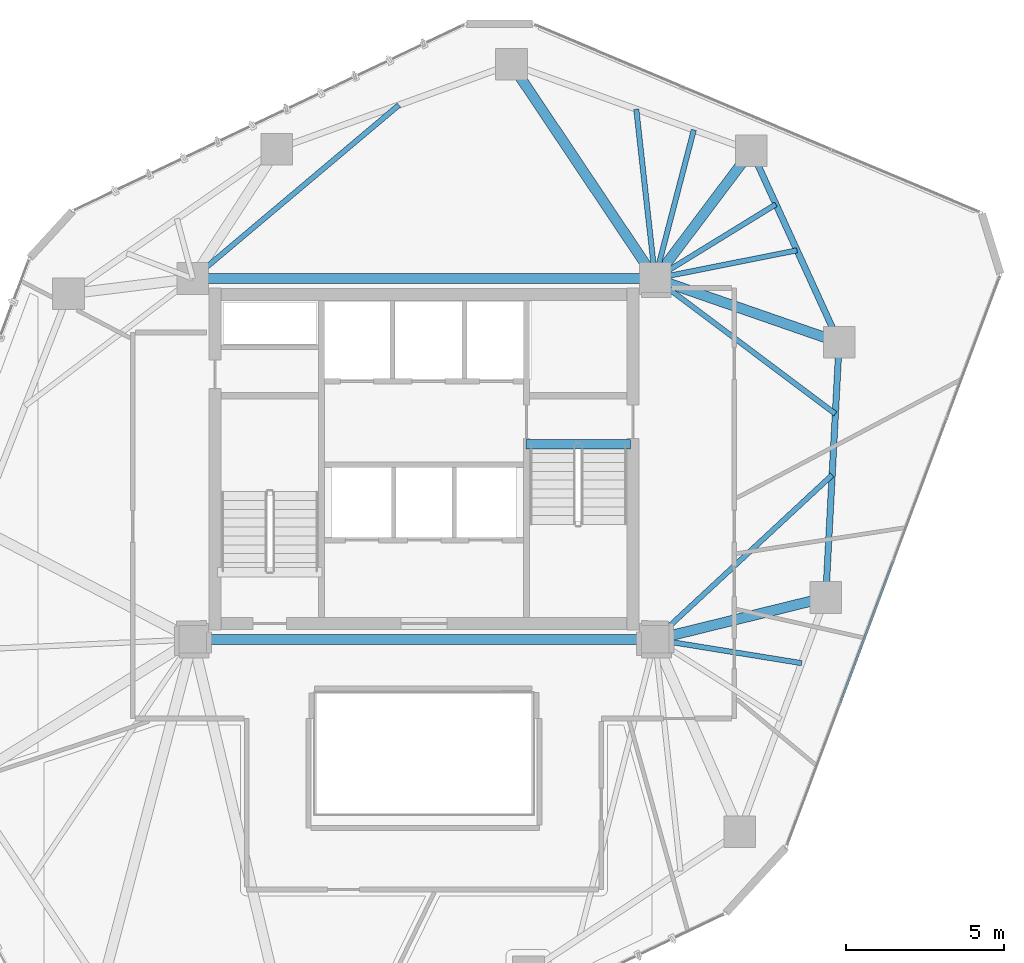
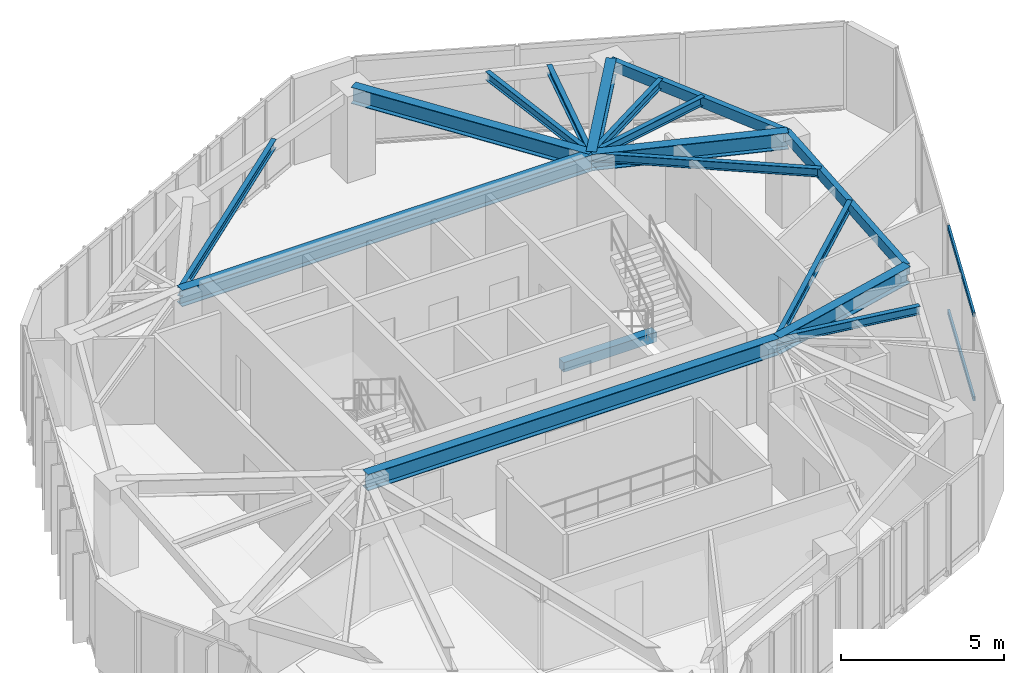
# One storey, part 10 of 18: 17 beams, 2 members, 1 element without a shape of its own.
"""IFC4 building model written with IfcOpenShell, lengths in metres."""

import ifcopenshell
import ifcopenshell.guid

model = None  # the IFC model being written
_history = None  # IfcOwnerHistory: only IFC2X3 demands one
_inside = {}  # id of a spatial element -> (the spatial element, [elements in it])
_under = {}  # id of a project, library or spatial element -> (it, [spatial elements below it])
_declared = {}  # id of a project -> (the project, [libraries it declares])
_typed = {}  # id of a type object -> (the type object, [elements of that type])
_made_of = {}  # id of a material, layer set ... -> (it, [elements and type objects made of it])


def new_model(schema):
    """Start an empty IFC model of exactly this schema.

    Asked for "IFC4X3", IfcOpenShell would pick the latest addendum, in which some entities
    have other attributes; the version numbers below select the first issue.
    IFC2X3 requires an IfcOwnerHistory on every rooted entity: one is made here for all.
    """
    global model, _history
    if schema == "IFC4X3":
        model = ifcopenshell.file(schema_version=(4, 3, 0, 0))
    else:
        model = ifcopenshell.file(schema=schema)
    _inside.clear()
    _under.clear()
    _declared.clear()
    _typed.clear()
    _made_of.clear()
    _history = None
    if model.schema == "IFC2X3":
        org = make("IfcOrganization", Name="unknown")
        user = make(
            "IfcPersonAndOrganization",
            ThePerson=make("IfcPerson", FamilyName="unknown"),
            TheOrganization=org,
        )
        app = make(
            "IfcApplication",
            ApplicationDeveloper=org,
            Version="unknown",
            ApplicationFullName="unknown",
            ApplicationIdentifier="unknown",
        )
        _history = make(
            "IfcOwnerHistory",
            OwningUser=user,
            OwningApplication=app,
            ChangeAction="ADDED",
            CreationDate=0,
        )
    return model


def make(cls, **values):
    """One entity of the class cls with the attributes given. An attribute that is None is left unset."""
    return model.create_entity(
        cls, **{name: value for name, value in values.items() if value is not None}
    )


def rooted(cls, **values):
    """An entity with a GlobalId (a new one), such as an element, a storey or a relation."""
    return make(cls, GlobalId=ifcopenshell.guid.new(), OwnerHistory=_history, **values)


def si_unit(unit_type, name, prefix=None):
    """IfcSIUnit, for example si_unit("LENGTHUNIT", "METRE", prefix="MILLI")."""
    return make("IfcSIUnit", UnitType=unit_type, Prefix=prefix, Name=name)


def assignment(units):
    """IfcUnitAssignment: the units of a project."""
    return None if units is None else make("IfcUnitAssignment", Units=units)


def point(xyz):
    """IfcCartesianPoint."""
    return None if xyz is None else make("IfcCartesianPoint", Coordinates=xyz)


def direction(xyz):
    """IfcDirection."""
    return None if xyz is None else make("IfcDirection", DirectionRatios=xyz)


def frame(location, z_axis=None, x_axis=None):
    """IfcAxis2Placement3D, a coordinate frame: its origin and axes. An axis left out is left unset."""
    return make(
        "IfcAxis2Placement3D",
        Location=point(location),
        Axis=direction(z_axis),
        RefDirection=direction(x_axis),
    )


def frame_2d(location, x_axis=None):
    """IfcAxis2Placement2D, a coordinate frame in the plane: its origin and x axis."""
    return make(
        "IfcAxis2Placement2D", Location=point(location), RefDirection=direction(x_axis)
    )


def origin():
    """The frame at (0, 0, 0) with its axes left unset."""
    return frame((0.0, 0.0, 0.0))


def origin_2d():
    """The frame at (0, 0) in the plane with its x axis left unset."""
    return frame_2d((0.0, 0.0))


def place(relative_to, where):
    """IfcLocalPlacement: puts the frame where relative to a parent placement (None: the world)."""
    return make(
        "IfcLocalPlacement", PlacementRelTo=relative_to, RelativePlacement=where
    )


def context(
    kind, dimensions, precision=None, world=None, true_north=None, identifier=None
):
    """IfcGeometricRepresentationContext, for example the 3D "Model" context."""
    return make(
        "IfcGeometricRepresentationContext",
        ContextIdentifier=identifier,
        ContextType=kind,
        CoordinateSpaceDimension=dimensions,
        Precision=precision,
        WorldCoordinateSystem=world,
        TrueNorth=true_north,
    )


def subcontext(parent, identifier, kind, view, scale=None):
    """IfcGeometricRepresentationSubContext, for example "Body" below "Model"."""
    return make(
        "IfcGeometricRepresentationSubContext",
        ContextIdentifier=identifier,
        ContextType=kind,
        ParentContext=parent,
        TargetScale=scale,
        TargetView=view,
    )


def project(units=None, contexts=None):
    """IfcProject with its units and contexts."""
    return rooted(
        "IfcProject",
        Name="project",
        RepresentationContexts=contexts,
        UnitsInContext=assignment(units),
    )


def spatial(cls, under=None, at=None, **own):
    """A site, building, storey or space (cls), placed at a placement, below another one or the project."""
    s = rooted(cls, ObjectPlacement=at, **own)
    if under is not None:
        _under.setdefault(under.id(), (under, []))[1].append(s)
    return s


def profile(cls, at=None, kind="AREA", **sizes):
    """A parametric profile (cls). Its sizes go by their IFC names, for example OverallWidth=200.0."""
    return make(cls, ProfileType=kind, Position=at, **sizes)


def rectangle(**sizes):
    """IfcRectangleProfileDef."""
    return profile("IfcRectangleProfileDef", **sizes)


def hollow_rectangle(**sizes):
    """IfcRectangleHollowProfileDef."""
    return profile("IfcRectangleHollowProfileDef", **sizes)


def i_section(**sizes):
    """IfcIShapeProfileDef."""
    return profile("IfcIShapeProfileDef", **sizes)


def extrude(swept, where, along, depth):
    """IfcExtrudedAreaSolid: the profile swept, set in the frame where, extruded along a direction by depth."""
    return make(
        "IfcExtrudedAreaSolid",
        SweptArea=swept,
        Position=where,
        ExtrudedDirection=direction(along),
        Depth=depth,
    )


def shape(context_of_items, identifier, shape_type, items):
    """IfcShapeRepresentation: the items that make up one representation, for example the "Body"."""
    return make(
        "IfcShapeRepresentation",
        ContextOfItems=context_of_items,
        RepresentationIdentifier=identifier,
        RepresentationType=shape_type,
        Items=items,
    )


def source(mapping_origin, context_of_items, identifier, shape_type, items):
    """IfcRepresentationMap: a shape defined once, which mapped items show again and again."""
    return make(
        "IfcRepresentationMap",
        MappingOrigin=mapping_origin,
        MappedRepresentation=shape(context_of_items, identifier, shape_type, items),
    )


def transform(
    local_origin,
    x_axis=None,
    y_axis=None,
    z_axis=None,
    scale=None,
    scale2=None,
    scale3=None,
    uniform=True,
):
    """IfcCartesianTransformationOperator3D, or its non-uniform kind. x_axis, y_axis, z_axis: its Axis1, 2, 3."""
    if uniform:
        return make(
            "IfcCartesianTransformationOperator3D",
            Axis1=direction(x_axis),
            Axis2=direction(y_axis),
            LocalOrigin=point(local_origin),
            Scale=scale,
            Axis3=direction(z_axis),
        )
    return make(
        "IfcCartesianTransformationOperator3DnonUniform",
        Axis1=direction(x_axis),
        Axis2=direction(y_axis),
        LocalOrigin=point(local_origin),
        Scale=scale,
        Axis3=direction(z_axis),
        Scale2=scale2,
        Scale3=scale3,
    )


def mapped(mapping_source, mapping_target):
    """IfcMappedItem: shows the shape of a source again, moved by a transform."""
    return make(
        "IfcMappedItem", MappingSource=mapping_source, MappingTarget=mapping_target
    )


def material(Name=None, Category=None):
    """IfcMaterial."""
    return make("IfcMaterial", Name=Name, Category=Category)


def layer(
    of_material, thickness, ventilated=None, Name=None, Category=None, Priority=None
):
    """IfcMaterialLayer: one layer of a wall or slab, of a material (None: an air gap)."""
    return make(
        "IfcMaterialLayer",
        Material=of_material,
        LayerThickness=thickness,
        IsVentilated=ventilated,
        Name=Name,
        Category=Category,
        Priority=Priority,
    )


def layer_set(layers, Name=None):
    """IfcMaterialLayerSet."""
    return make("IfcMaterialLayerSet", MaterialLayers=layers, LayerSetName=Name)


def material_profile(
    of_material, cross_section, Name=None, Category=None, Priority=None
):
    """IfcMaterialProfile: a cross section and its material."""
    return make(
        "IfcMaterialProfile",
        Name=Name,
        Material=of_material,
        Profile=cross_section,
        Priority=Priority,
        Category=Category,
    )


def profile_set(profiles, Name=None, composite=None):
    """IfcMaterialProfileSet."""
    return make(
        "IfcMaterialProfileSet",
        Name=Name,
        MaterialProfiles=profiles,
        CompositeProfile=composite,
    )


def made_of(thing, what):
    """Note that an element or type object is made of a material, layer set ...; save() writes the relation."""
    if what is not None:
        _made_of.setdefault(what.id(), (what, []))[1].append(thing)
    return thing


def type_object(cls, material=None, **own):
    """A type object (cls), such as IfcWallType, which elements share."""
    return made_of(rooted(cls, **own), material)


def type_shapes(of_type, sources):
    """Give a type object the sources (RepresentationMaps) that its elements show as mapped items."""
    of_type.RepresentationMaps = sources


def element(
    cls,
    number,
    at=None,
    inside=None,
    cuts=None,
    type_object=None,
    material=None,
    context=None,
    identifier="Body",
    shape_type=None,
    held_by="IfcProductDefinitionShape",
    body=None,
    shapes=None,
    **own,
):
    """One element of the class cls, such as IfcWall. Its Tag is "e" and its number.

    at: its placement. inside: the storey or other place that contains it. cuts: it is an
    opening in that element (IfcRelVoidsElement). A single representation is given by context,
    identifier, shape_type and body (its items); several are given by shapes. held_by: the class
    of the entity that holds the representations. save() writes the other relations.
    """
    e = rooted(cls, Tag="e%d" % number, ObjectPlacement=at, **own)
    if body is not None:
        shapes = [shape(context, identifier, shape_type, body)]
    if shapes is not None:
        e.Representation = make(held_by, Representations=shapes)
    if inside is not None:
        _inside.setdefault(inside.id(), (inside, []))[1].append(e)
    if cuts is not None:
        rooted(
            "IfcRelVoidsElement", RelatingBuildingElement=cuts, RelatedOpeningElement=e
        )
    if type_object is not None:
        _typed.setdefault(type_object.id(), (type_object, []))[1].append(e)
    return made_of(e, material)


def aggregate(whole, parts):
    """IfcRelAggregates: a whole, such as a stair, and the parts it consists of."""
    return rooted("IfcRelAggregates", RelatingObject=whole, RelatedObjects=parts)


def save(model, path):
    """Write the relations noted so far, then the file.

    IfcRelAggregates (storeys below a building ...), IfcRelContainedInSpatialStructure (elements
    in a storey), IfcRelDefinesByType, IfcRelAssociatesMaterial and IfcRelDeclares: one each for
    every whole, place, type object, material and project.
    """
    for whole, parts in _under.values():
        aggregate(whole, parts)
    for where, things in _inside.values():
        rooted(
            "IfcRelContainedInSpatialStructure",
            RelatedElements=things,
            RelatingStructure=where,
        )
    for kind, things in _typed.values():
        rooted("IfcRelDefinesByType", RelatedObjects=things, RelatingType=kind)
    for what, things in _made_of.values():
        rooted("IfcRelAssociatesMaterial", RelatedObjects=things, RelatingMaterial=what)
    for by, libraries in _declared.values():
        rooted("IfcRelDeclares", RelatingContext=by, RelatedDefinitions=libraries)
    model.write(path)


model = new_model("IFC4")

# Units and contexts
model_context = context("Model", 3, precision=1e-05, world=origin(), true_north=direction((0.0, 1.0)))
body_context = subcontext(model_context, "Body", "Model", "MODEL_VIEW")
ifc_project = project(units=[si_unit("LENGTHUNIT", "METRE"), si_unit("AREAUNIT", "SQUARE_METRE"), si_unit("VOLUMEUNIT", "CUBIC_METRE"), si_unit("PLANEANGLEUNIT", "RADIAN"), si_unit("MASSUNIT", "GRAM", prefix="KILO")], contexts=[model_context])

# Site, building, storey
site_placement = place(None, origin())
site = spatial("IfcSite", under=ifc_project, at=site_placement, CompositionType="ELEMENT")
building_placement = place(site_placement, origin())
building = spatial("IfcBuilding", under=site, at=building_placement, Name="Talar Marvaseh", CompositionType="ELEMENT")
storey_placement = place(building_placement, frame((0.0, 0.0, 167.0)))
storey = spatial("IfcBuildingStorey", under=building, at=storey_placement, Name="L43", CompositionType="ELEMENT", Elevation=167.0)

# Beams
ifc_material_1 = material(Name="Concrete C40/50", Category="concrete")
ifc_material_profile_1 = material_profile(ifc_material_1, rectangle(XDim=0.300048828125, YDim=0.360107421875, at=origin_2d()), Name="RC300x360")
ifc_profile_set_1 = profile_set([ifc_material_profile_1], Name="Concrete C40/50")
beam_type_1 = type_object("IfcBeamType", Name="Concrete Stair Landing Trimmer Beam RC300x360", PredefinedType="SPANDREL", material=ifc_profile_set_1)
beam_1_placement = place(storey_placement, frame((29.219970703125, 31.669921875, -0.179931640625), z_axis=(1.0, 0.0, 0.0), x_axis=(0.0, 1.0, 0.0)))
element("IfcBeam", 1, at=beam_1_placement, inside=storey, type_object=beam_type_1, Name="L43 ST-2 Stair Nosing Trimmer Beam", PredefinedType="SPANDREL", context=body_context, shape_type="SweptSolid", body=[
    extrude(rectangle(XDim=0.300048828125, YDim=0.360107421875, at=origin_2d()), origin(), (0.0, 0.0, 1.0), 3.300048828125),
])
ifc_material_2 = material(Name="Steel S355", Category="steel")
ifc_material_profile_2 = material_profile(ifc_material_2, hollow_rectangle(XDim=0.199951171875, YDim=0.39990234375, WallThickness=0.013916015625, at=origin_2d()), Name="RHS400x200x14")
ifc_profile_set_2 = profile_set([ifc_material_profile_2], Name="Steel S355")
beam_type_2 = type_object("IfcBeamType", Name="Zone 3 Perimeter Spandrel Beam RHS400x200x14", PredefinedType="SPANDREL", material=ifc_profile_set_2)
beam_2_placement = place(storey_placement, frame((36.341064453125, 40.94189453125, 3.030029296875), z_axis=(0.416090570719, -0.909323175202, 0.0), x_axis=(0.909323175202, 0.416090570719, 0.0)))
element("IfcBeam", 2, at=beam_2_placement, inside=storey, type_object=beam_type_2, Name="L43 Zone 3 Perimeter Spandrel Beam RHS400x200x14", PredefinedType="SPANDREL", context=body_context, shape_type="SweptSolid", body=[
    extrude(hollow_rectangle(XDim=0.199951171875, YDim=0.39990234375, WallThickness=0.013916015625, at=origin_2d()), origin(), (0.0, 0.0, 1.0), 6.661865234375),
])
beam_3_placement = place(storey_placement, frame((39.113037109375, 34.884033203125, 3.030029296875), z_axis=(-0.052541369293, -0.998618748328, 0.0), x_axis=(0.998618748328, -0.052541369293, 0.0)))
element("IfcBeam", 3, at=beam_3_placement, inside=storey, type_object=beam_type_2, Name="L43 Zone 3 Perimeter Spandrel Beam RHS400x200x14", PredefinedType="SPANDREL", context=body_context, shape_type="SweptSolid", body=[
    extrude(hollow_rectangle(XDim=0.199951171875, YDim=0.39990234375, WallThickness=0.013916015625, at=origin_2d()), origin(), (0.0, 0.0, 1.0), 8.0712890625),
])
ifc_material_profile_3 = material_profile(ifc_material_2, i_section(OverallWidth=0.324951171875, OverallDepth=0.615966796875, WebThickness=0.013916015625, FlangeThickness=0.021484375, at=origin_2d()), Name="W610x174")
ifc_profile_set_3 = profile_set([ifc_material_profile_3], Name="Steel S355")
beam_type_3 = type_object("IfcBeamType", Name="Zone 3 Radial Floor Girder W610x174", PredefinedType="BEAM", material=ifc_profile_set_3)
for number, where, z_axis, x_axis, name in (
    (4, (18.699951171875, 25.5, 2.922119140625), (1.0, 0.0, 0.0), (0.0, 1.0, 0.0), "L43 Zone 3 Radial Floor Girder W610x174"),
    (5, (18.699951171875, 36.89990234375, 2.922119140625), (1.0, 0.0, 0.0), (0.0, 1.0, 0.0), "L43 Zone 3 Radial Floor Girder W610x174"),
):
    element("IfcBeam", number, at=place(storey_placement, frame(where, z_axis=z_axis, x_axis=x_axis)), inside=storey, type_object=beam_type_3, Name=name, PredefinedType="BEAM", context=body_context, shape_type="SweptSolid", body=[
        extrude(i_section(OverallWidth=0.324951171875, OverallDepth=0.615966796875, WebThickness=0.013916015625, FlangeThickness=0.021484375, at=origin_2d()), origin(), (0.0, 0.0, 1.0), 14.60009765625),
    ])
beam_4_placement = place(storey_placement, frame((28.76611328125, 43.66796875, 2.922119140625), z_axis=(0.556559209375, -0.830807948, 0.0), x_axis=(0.830807948, 0.556559209375, 0.0)))
element("IfcBeam", 6, at=beam_4_placement, inside=storey, type_object=beam_type_3, Name="L43 Zone 3 Radial Floor Girder W610x174", PredefinedType="BEAM", context=body_context, shape_type="SweptSolid", body=[
    extrude(i_section(OverallWidth=0.324951171875, OverallDepth=0.615966796875, WebThickness=0.013916015625, FlangeThickness=0.021484375, at=origin_2d()), origin(), (0.0, 0.0, 1.0), 8.146484375),
])
beam_5_placement = place(storey_placement, frame((36.341064453125, 40.94189453125, 2.922119140625), z_axis=(-0.601204044541, -0.799095549247, 0.0), x_axis=(0.799095549247, -0.601204044541, 0.0)))
element("IfcBeam", 7, at=beam_5_placement, inside=storey, type_object=beam_type_3, Name="L43 Zone 3 Radial Floor Girder W610x174", PredefinedType="BEAM", context=body_context, shape_type="SweptSolid", body=[
    extrude(i_section(OverallWidth=0.324951171875, OverallDepth=0.615966796875, WebThickness=0.013916015625, FlangeThickness=0.021484375, at=origin_2d()), origin(), (0.0, 0.0, 1.0), 5.05810546875),
])
beam_6_placement = place(storey_placement, frame((39.113037109375, 34.884033203125, 2.922119140625), z_axis=(-0.94480098975, 0.327644761544, 0.0), x_axis=(-0.327644761544, -0.94480098975, 0.0)))
element("IfcBeam", 8, at=beam_6_placement, inside=storey, type_object=beam_type_3, Name="L43 Zone 3 Radial Floor Girder W610x174", PredefinedType="BEAM", context=body_context, shape_type="SweptSolid", body=[
    extrude(i_section(OverallWidth=0.324951171875, OverallDepth=0.615966796875, WebThickness=0.013916015625, FlangeThickness=0.021484375, at=origin_2d()), origin(), (0.0, 0.0, 1.0), 6.152587890625),
])
beam_7_placement = place(storey_placement, frame((38.68896484375, 26.823974609375, 2.922119140625), z_axis=(-0.971120507527, -0.238589521692, 0.0), x_axis=(0.238589521692, -0.971120507527, 0.0)))
element("IfcBeam", 9, at=beam_7_placement, inside=storey, type_object=beam_type_3, Name="L43 Zone 3 Radial Floor Girder W610x174", PredefinedType="BEAM", context=body_context, shape_type="SweptSolid", body=[
    extrude(i_section(OverallWidth=0.324951171875, OverallDepth=0.615966796875, WebThickness=0.013916015625, FlangeThickness=0.021484375, at=origin_2d()), origin(), (0.0, 0.0, 1.0), 5.549072265625),
])
ifc_material_profile_4 = material_profile(ifc_material_2, i_section(OverallWidth=0.166015625, OverallDepth=0.31298828125, WebThickness=0.006591796875, FlangeThickness=0.01123046875, at=origin_2d()), Name="W310x45")
ifc_profile_set_4 = profile_set([ifc_material_profile_4], Name="Steel S355")
beam_type_4 = type_object("IfcBeamType", Name="Zone 3 Secondary Floor Joist W310x45", PredefinedType="JOIST", material=ifc_profile_set_4)
beam_8_placement = place(storey_placement, frame((32.705078125, 42.25048828125, 3.073486328125), z_axis=(0.110516140753, -0.993874329396, 0.0), x_axis=(0.993874329396, 0.110516140753, 0.0)))
element("IfcBeam", 10, at=beam_8_placement, inside=storey, type_object=beam_type_4, Name="L43 Zone 3 Secondary Floor Joist W310x45", PredefinedType="JOIST", context=body_context, shape_type="SweptSolid", body=[
    extrude(i_section(OverallWidth=0.166015625, OverallDepth=0.31298828125, WebThickness=0.006591796875, FlangeThickness=0.01123046875, at=origin_2d()), origin(), (0.0, 0.0, 1.0), 5.383544921875),
])
beam_9_placement = place(storey_placement, frame((34.52294921875, 41.59619140625, 3.073486328125), z_axis=(-0.251993851934, -0.967728835257, 0.0), x_axis=(0.967728835257, -0.251993851934, 0.0)))
element("IfcBeam", 11, at=beam_9_placement, inside=storey, type_object=beam_type_4, Name="L43 Zone 3 Secondary Floor Joist W310x45", PredefinedType="JOIST", context=body_context, shape_type="SweptSolid", body=[
    extrude(i_section(OverallWidth=0.166015625, OverallDepth=0.31298828125, WebThickness=0.006591796875, FlangeThickness=0.01123046875, at=origin_2d()), origin(), (0.0, 0.0, 1.0), 4.852783203125),
])
beam_10_placement = place(storey_placement, frame((37.1171875, 39.245849609375, 3.073486328125), z_axis=(-0.851963133725, -0.52360177499, 0.0), x_axis=(0.52360177499, -0.851963133725, 0.0)))
element("IfcBeam", 12, at=beam_10_placement, inside=storey, type_object=beam_type_4, Name="L43 Zone 3 Secondary Floor Joist W310x45", PredefinedType="JOIST", context=body_context, shape_type="SweptSolid", body=[
    extrude(i_section(OverallWidth=0.166015625, OverallDepth=0.31298828125, WebThickness=0.006591796875, FlangeThickness=0.01123046875, at=origin_2d()), origin(), (0.0, 0.0, 1.0), 4.48046875),
])
beam_11_placement = place(storey_placement, frame((37.782470703125, 37.791748046875, 3.073486328125), z_axis=(-0.980775375356, -0.195140111447, 0.0), x_axis=(0.195140111447, -0.980775375356, 0.0)))
element("IfcBeam", 13, at=beam_11_placement, inside=storey, type_object=beam_type_4, Name="L43 Zone 3 Secondary Floor Joist W310x45", PredefinedType="JOIST", context=body_context, shape_type="SweptSolid", body=[
    extrude(i_section(OverallWidth=0.166015625, OverallDepth=0.31298828125, WebThickness=0.006591796875, FlangeThickness=0.01123046875, at=origin_2d()), origin(), (0.0, 0.0, 1.0), 4.5703125),
])
beam_12_placement = place(storey_placement, frame((38.994384765625, 32.627197265625, 3.073486328125), z_axis=(-0.799868292589, 0.600175569739, 0.0), x_axis=(-0.600175569739, -0.799868292589, 0.0)))
element("IfcBeam", 14, at=beam_12_placement, inside=storey, type_object=beam_type_4, Name="L43 Zone 3 Secondary Floor Joist W310x45", PredefinedType="JOIST", context=body_context, shape_type="SweptSolid", body=[
    extrude(i_section(OverallWidth=0.166015625, OverallDepth=0.31298828125, WebThickness=0.006591796875, FlangeThickness=0.01123046875, at=origin_2d()), origin(), (0.0, 0.0, 1.0), 7.119140625),
])
beam_13_placement = place(storey_placement, frame((38.892578125, 30.69287109375, 3.073486328125), z_axis=(-0.73280602476, -0.680437601897, 0.0), x_axis=(0.680437601897, -0.73280602476, 0.0)))
element("IfcBeam", 15, at=beam_13_placement, inside=storey, type_object=beam_type_4, Name="L43 Zone 3 Secondary Floor Joist W310x45", PredefinedType="JOIST", context=body_context, shape_type="SweptSolid", body=[
    extrude(i_section(OverallWidth=0.166015625, OverallDepth=0.31298828125, WebThickness=0.006591796875, FlangeThickness=0.01123046875, at=origin_2d()), origin(), (0.0, 0.0, 1.0), 7.631591796875),
])
beam_14_placement = place(storey_placement, frame((37.927978515625, 24.751708984375, 3.073486328125), z_axis=(-0.987178985963, 0.159617197298, 0.0), x_axis=(-0.159617197298, -0.987178985963, 0.0)))
element("IfcBeam", 16, at=beam_14_placement, inside=storey, type_object=beam_type_4, Name="L43 Zone 3 Secondary Floor Joist W310x45", PredefinedType="JOIST", context=body_context, shape_type="SweptSolid", body=[
    extrude(i_section(OverallWidth=0.166015625, OverallDepth=0.31298828125, WebThickness=0.006591796875, FlangeThickness=0.01123046875, at=origin_2d()), origin(), (0.0, 0.0, 1.0), 4.68798828125),
])
beam_15_placement = place(storey_placement, frame((25.207275390625, 42.380615234375, 3.073486328125), z_axis=(-0.76486133839, -0.644194949558, 0.0), x_axis=(0.644194949558, -0.76486133839, 0.0)))
element("IfcBeam", 17, at=beam_15_placement, inside=storey, type_object=beam_type_4, Name="L43 Zone 3 Secondary Floor Joist W310x45", PredefinedType="JOIST", context=body_context, shape_type="SweptSolid", body=[
    extrude(i_section(OverallWidth=0.166015625, OverallDepth=0.31298828125, WebThickness=0.006591796875, FlangeThickness=0.01123046875, at=origin_2d()), origin(), (0.0, 0.0, 1.0), 8.5078125),
])

# Curtain wall, members
ifc_material_3 = material(Name="Architectural Aluminium", Category="aluminium")
ifc_layer = layer(ifc_material_3, 0.18994140625)
ifc_layer_set = layer_set([ifc_layer], Name="Architectural Aluminium")
curtain_wall_type = type_object("IfcCurtainWallType", Name="Unitised Solar Atelier Curtain Wall Z3", PredefinedType="NOTDEFINED", material=ifc_layer_set)
curtain_wall_placement = place(storey_placement, origin())
curtain_wall = element("IfcCurtainWall", 18, at=curtain_wall_placement, inside=storey, type_object=curtain_wall_type, Name="L43 Unitised Solar Atelier Curtain Wall Z3", PredefinedType="NOTDEFINED")
ifc_material_profile_5 = material_profile(ifc_material_3, hollow_rectangle(XDim=0.074951171875, YDim=0.179931640625, WallThickness=0.0048828125, at=origin_2d()), Name="RHS180x75x5")
ifc_profile_set_5 = profile_set([ifc_material_profile_5], Name="Architectural Aluminium")
member_type = type_object("IfcMemberType", Name="Unitised Curtain Wall Transom RHS180x75x5", PredefinedType="USERDEFINED", material=ifc_profile_set_5)
shared_shape = source(origin(), body_context, "Body", "SweptSolid", [
    extrude(hollow_rectangle(XDim=0.074951171875, YDim=0.179931640625, WallThickness=0.0048828125, at=origin_2d()), origin(), (0.0, 0.0, 1.0), 4.7470703125),
])
type_shapes(member_type, [shared_shape])
member_1_placement = place(storey_placement, frame((40.81298828125, 27.947998046875, 0.03759765625), z_axis=(-0.350334269419, -0.936624737913, 0.0), x_axis=(0.936624737913, -0.350334269419, 0.0)))
member_1 = element("IfcMember", 19, at=member_1_placement, type_object=member_type, Name="CW-Z3 transom 3.1", ObjectType="TRANSOM", PredefinedType="USERDEFINED", context=body_context, shape_type="MappedRepresentation", body=[
    mapped(shared_shape, transform((0.0, 0.0, 0.0), x_axis=(1.0, 0.0, 0.0), y_axis=(0.0, 1.0, 0.0), z_axis=(0.0, 0.0, 1.0), scale=1.0)),
])
member_2_placement = place(storey_placement, frame((40.81298828125, 27.947998046875, 3.1923828125), z_axis=(-0.350334269419, -0.936624737913, 0.0), x_axis=(0.936624737913, -0.350334269419, 0.0)))
member_2 = element("IfcMember", 20, at=member_2_placement, type_object=member_type, Name="CW-Z3 transom 3.2", ObjectType="TRANSOM", PredefinedType="USERDEFINED", context=body_context, shape_type="MappedRepresentation", body=[
    mapped(shared_shape, transform((0.0, 0.0, 0.0), x_axis=(1.0, 0.0, 0.0), y_axis=(0.0, 1.0, 0.0), z_axis=(0.0, 0.0, 1.0), scale=1.0)),
])
aggregate(curtain_wall, [member_1, member_2])

save(model, "model.ifc")
